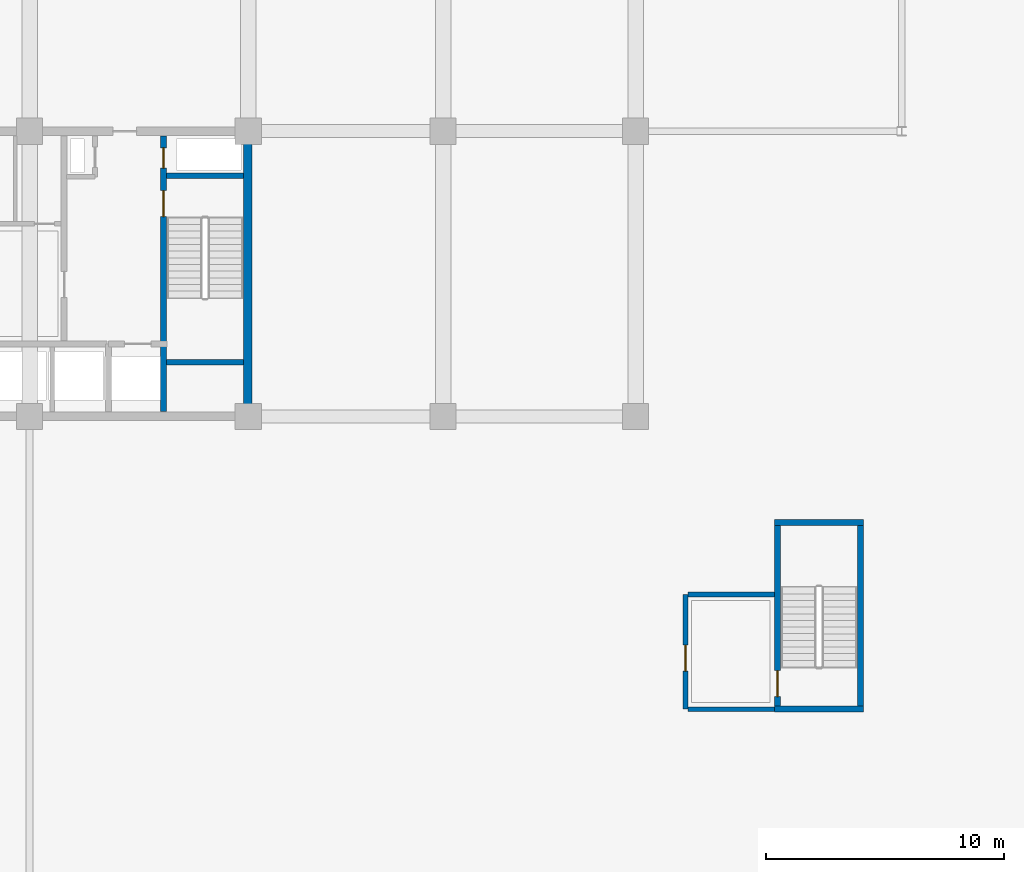
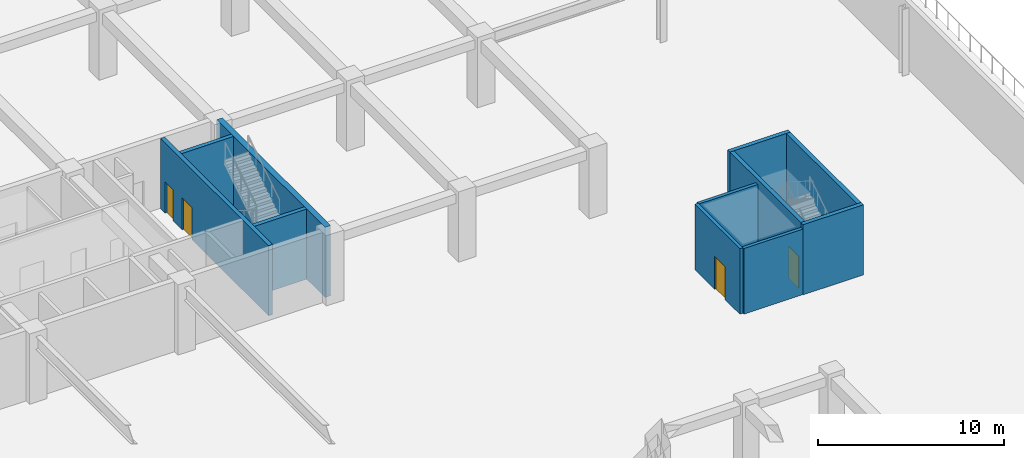
# One storey, part 26 of 45: 11 walls, 4 doors, 4 openings.
"""IFC4 building model written with IfcOpenShell, lengths in metres."""

from ifc_helpers import new_model, si_unit, direction, frame, frame_2d, origin, place, context, subcontext, project, spatial, rectangle, extrude, material, layer, layer_set, type_object, element, fill, save


model = new_model("IFC4")

# Units and contexts
model_context = context("Model", 3, precision=1e-05, world=origin(), true_north=direction((0.0, 1.0)))
body_context = subcontext(model_context, "Body", "Model", "MODEL_VIEW")
ifc_project = project(units=[si_unit("LENGTHUNIT", "METRE"), si_unit("AREAUNIT", "SQUARE_METRE"), si_unit("VOLUMEUNIT", "CUBIC_METRE"), si_unit("PLANEANGLEUNIT", "RADIAN"), si_unit("MASSUNIT", "GRAM", prefix="KILO")], contexts=[model_context])

# Site, building, storey
site_placement = place(None, origin())
site = spatial("IfcSite", under=ifc_project, at=site_placement, CompositionType="ELEMENT")
building_placement = place(site_placement, origin())
building = spatial("IfcBuilding", under=site, at=building_placement, Name="Korimba Cascade Residences", CompositionType="ELEMENT")
storey_placement = place(building_placement, frame((0.0, 0.0, 5.39990234375)))
storey = spatial("IfcBuildingStorey", under=building, at=storey_placement, Name="L01", CompositionType="ELEMENT", Elevation=5.39990234375)

# Wall
ifc_material_1 = material(Name="Concrete C65/80", Category="concrete")
ifc_layer_1 = layer(ifc_material_1, 0.35009765625)
ifc_layer_set_1 = layer_set([ifc_layer_1], Name="Concrete C65/80")
wall_type_1 = type_object("IfcWallType", Name="WAL-CORE-350", PredefinedType="SHEAR", material=ifc_layer_set_1)
wall_1_placement = place(storey_placement, frame((112.074951171875, 55.375, 0.0), z_axis=(0.0, 0.0, 1.0), x_axis=(0.0, 1.0, 0.0)))
element("IfcWall", 1, at=wall_1_placement, inside=storey, type_object=wall_type_1, Name="L01 Core Shear Wall CW-L01-T1-E", PredefinedType="SHEAR", context=body_context, shape_type="SweptSolid", body=[
    extrude(rectangle(XDim=11.64990234375, YDim=0.35009765625, at=frame_2d((5.824951171875, 0.0))), origin(), (0.0, 0.0, 1.0), 4.60009765625),
])

# Wall, opening, door
ifc_material_2 = material(Name="Concrete C40/50", Category="concrete")
ifc_layer_2 = layer(ifc_material_2, 0.199951171875)
ifc_layer_set_2 = layer_set([ifc_layer_2], Name="Concrete C40/50")
wall_type_2 = type_object("IfcWallType", Name="WAL-PART-200", PredefinedType="PARTITIONING", material=ifc_layer_set_2)
wall_2_placement = place(storey_placement, frame((130.5, 42.875, 0.0), z_axis=(0.0, 0.0, 1.0), x_axis=(0.0, 1.0, 0.0)))
wall_2 = element("IfcWall", 2, at=wall_2_placement, inside=storey, type_object=wall_type_2, Name="L01 Partition Wall CW-L01-PLEW", PredefinedType="PARTITIONING", context=body_context, shape_type="SweptSolid", body=[
    extrude(rectangle(XDim=4.824951171875, YDim=0.199951171875, at=frame_2d((2.41259765625, 0.0))), origin(), (0.0, 0.0, 1.0), 4.300048828125),
])
opening_1_placement = place(wall_2_placement, frame((1.60009765625, 0.0, 0.0)))
opening_1 = element("IfcOpeningElement", 3, at=opening_1_placement, cuts=wall_2, Name="Opening D-FD6", PredefinedType="OPENING", context=body_context, shape_type="SweptSolid", body=[
    extrude(rectangle(XDim=1.10009765625, YDim=2.14990234375, at=frame_2d((0.550048828125, 1.074951171875))), frame((0.0, 0.10986328125, 0.0), z_axis=(0.0, -1.0, 0.0), x_axis=(1.0, 0.0, 0.0)), (0.0, 0.0, 1.0), 0.219970703125),
])
ifc_material_3 = material(Name="Fire-Rated Timber Stair Lobby Door", Category="wood")
door_type_1 = type_object("IfcDoorType", Name="DR-FD90-1100", OperationType="NOTDEFINED", PredefinedType="DOOR", material=ifc_material_3)
door_1_placement = place(opening_1_placement, origin())
door_1 = element("IfcDoor", 4, at=door_1_placement, inside=storey, type_object=door_type_1, Name="L01 East Stair Vestibule Door", OperationType="SINGLE_SWING_LEFT", OverallHeight=2.14990234375, OverallWidth=1.10009765625, PredefinedType="DOOR", context=body_context, shape_type="SweptSolid", body=[
    extrude(rectangle(XDim=1.10009765625, YDim=2.14990234375, at=frame_2d((0.550048828125, 1.074951171875))), frame((0.0, 0.02490234375, 0.0), z_axis=(0.0, -1.0, 0.0), x_axis=(1.0, 0.0, 0.0)), (0.0, 0.0, 1.0), 0.050048828125),
])
fill(opening_1, door_1)

# Walls
for number, where, z_axis, x_axis, name in (
    (5, (130.60009765625, 42.875, 0.0), (0.0, 0.0, 1.0), (1.0, 0.0, 0.0), "L01 Partition Wall CW-L01-PLES"),
    (6, (130.60009765625, 47.699951171875, 0.0), (0.0, 0.0, 1.0), (1.0, 0.0, 0.0), "L01 Partition Wall CW-L01-PLEN"),
):
    element("IfcWall", number, at=place(storey_placement, frame(where, z_axis=z_axis, x_axis=x_axis)), inside=storey, type_object=wall_type_2, Name=name, PredefinedType="PARTITIONING", context=body_context, shape_type="SweptSolid", body=[
        extrude(rectangle(XDim=3.64990234375, YDim=0.199951171875, at=frame_2d((1.824951171875, 0.0))), origin(), (0.0, 0.0, 1.0), 4.300048828125),
    ])

# Wall, openings, doors
ifc_material_4 = material(Name="Concrete C50/60", Category="concrete")
ifc_layer_3 = layer(ifc_material_4, 0.25)
ifc_layer_set_3 = layer_set([ifc_layer_3], Name="Concrete C50/60")
wall_type_3 = type_object("IfcWallType", Name="WAL-SHAFT-250", PredefinedType="SHEAR", material=ifc_layer_set_3)
wall_3_placement = place(storey_placement, frame((108.534912109375, 55.39990234375, 0.0), z_axis=(0.0, 0.0, 1.0), x_axis=(0.0, 1.0, 0.0)))
wall_3 = element("IfcWall", 7, at=wall_3_placement, inside=storey, type_object=wall_type_3, Name="L01 Core Shear Wall CW-L01-T1-STW2W", PredefinedType="SHEAR", context=body_context, shape_type="SweptSolid", body=[
    extrude(rectangle(XDim=11.60009765625, YDim=0.25, at=frame_2d((5.800048828125, 0.0))), origin(), (0.0, 0.0, 1.0), 4.60009765625),
])
opening_2_placement = place(wall_3_placement, frame((8.199951171875, 0.0, 0.0)))
opening_2 = element("IfcOpeningElement", 8, at=opening_2_placement, cuts=wall_3, Name="Opening D-FD1", PredefinedType="OPENING", context=body_context, shape_type="SweptSolid", body=[
    extrude(rectangle(XDim=1.10009765625, YDim=2.10009765625, at=frame_2d((0.550048828125, 1.050048828125))), frame((0.0, 0.135009765625, 0.0), z_axis=(0.0, -1.0, 0.0), x_axis=(1.0, 0.0, 0.0)), (0.0, 0.0, 1.0), 0.27001953125),
])
opening_3_placement = place(wall_3_placement, frame((10.25, 0.0, 0.0)))
opening_3 = element("IfcOpeningElement", 9, at=opening_3_placement, cuts=wall_3, Name="Opening D-RS1", PredefinedType="OPENING", context=body_context, shape_type="SweptSolid", body=[
    extrude(rectangle(XDim=0.85009765625, YDim=2.050048828125, at=frame_2d((0.425048828125, 1.02490234375))), frame((0.0, 0.135009765625, 0.0), z_axis=(0.0, -1.0, 0.0), x_axis=(1.0, 0.0, 0.0)), (0.0, 0.0, 1.0), 0.27001953125),
])
ifc_material_5 = material(Name="Fire-Rated Steel Core Door", Category="steel")
door_type_2 = type_object("IfcDoorType", Name="DR-FD120-1100", OperationType="NOTDEFINED", PredefinedType="DOOR", material=ifc_material_5)
door_2_placement = place(opening_2_placement, origin())
door_2 = element("IfcDoor", 10, at=door_2_placement, inside=storey, type_object=door_type_2, Name="L01 Fire Stair ST-W2 Door", OperationType="SINGLE_SWING_RIGHT", OverallHeight=2.10009765625, OverallWidth=1.10009765625, PredefinedType="DOOR", context=body_context, shape_type="SweptSolid", body=[
    extrude(rectangle(XDim=1.10009765625, YDim=2.10009765625, at=frame_2d((0.550048828125, 1.050048828125))), frame((0.0, 0.02490234375, 0.0), z_axis=(0.0, -1.0, 0.0), x_axis=(1.0, 0.0, 0.0)), (0.0, 0.0, 1.0), 0.050048828125),
])
fill(opening_2, door_2)
ifc_material_6 = material(Name="Fire-Rated Steel Riser Access Door", Category="steel")
door_type_3 = type_object("IfcDoorType", Name="DR-FD60-850", OperationType="NOTDEFINED", PredefinedType="DOOR", material=ifc_material_6)
door_3_placement = place(opening_3_placement, origin())
door_3 = element("IfcDoor", 11, at=door_3_placement, inside=storey, type_object=door_type_3, Name="L01 East Riser Door", OperationType="SINGLE_SWING_LEFT", OverallHeight=2.050048828125, OverallWidth=0.85009765625, PredefinedType="DOOR", context=body_context, shape_type="SweptSolid", body=[
    extrude(rectangle(XDim=0.85009765625, YDim=2.050048828125, at=frame_2d((0.425048828125, 1.02490234375))), frame((0.0, 0.02490234375, 0.0), z_axis=(0.0, -1.0, 0.0), x_axis=(1.0, 0.0, 0.0)), (0.0, 0.0, 1.0), 0.050048828125),
])
fill(opening_3, door_3)

# Walls
for number, where, z_axis, x_axis, name in (
    (12, (108.659912109375, 57.47509765625, 0.0), (0.0, 0.0, 1.0), (1.0, 0.0, 0.0), "L01 Core Shear Wall CW-L01-T1-STW2S"),
    (13, (108.659912109375, 65.324951171875, 0.0), (0.0, 0.0, 1.0), (1.0, 0.0, 0.0), "L01 Core Shear Wall CW-L01-T1-STW2N"),
):
    element("IfcWall", number, at=place(storey_placement, frame(where, z_axis=z_axis, x_axis=x_axis)), inside=storey, type_object=wall_type_3, Name=name, PredefinedType="SHEAR", context=body_context, shape_type="SweptSolid", body=[
        extrude(rectangle(XDim=3.239990234375, YDim=0.25, at=frame_2d((1.6201171875, 0.0))), origin(), (0.0, 0.0, 1.0), 4.60009765625),
    ])

# Wall, opening, door
wall_4_placement = place(storey_placement, frame((134.375, 43.0, 0.0), z_axis=(0.0, 0.0, 1.0), x_axis=(0.0, 1.0, 0.0)))
wall_4 = element("IfcWall", 14, at=wall_4_placement, inside=storey, type_object=wall_type_3, Name="L01 Core Shear Wall CW-L01-STP2W", PredefinedType="SHEAR", context=body_context, shape_type="SweptSolid", body=[
    extrude(rectangle(XDim=7.60009765625, YDim=0.25, at=frame_2d((3.800048828125, 0.0))), origin(), (0.0, 0.0, 1.0), 4.60009765625),
])
opening_4_placement = place(wall_4_placement, frame((0.39990234375, 0.0, 0.0)))
opening_4 = element("IfcOpeningElement", 15, at=opening_4_placement, cuts=wall_4, Name="Opening D-FD1", PredefinedType="OPENING", context=body_context, shape_type="SweptSolid", body=[
    extrude(rectangle(XDim=1.10009765625, YDim=2.10009765625, at=frame_2d((0.550048828125, 1.050048828125))), frame((0.0, 0.135009765625, 0.0), z_axis=(0.0, -1.0, 0.0), x_axis=(1.0, 0.0, 0.0)), (0.0, 0.0, 1.0), 0.27001953125),
])
door_4_placement = place(opening_4_placement, origin())
door_4 = element("IfcDoor", 16, at=door_4_placement, inside=storey, type_object=door_type_2, Name="L01 Podium Stair ST-P2 Door", OperationType="SINGLE_SWING_RIGHT", OverallHeight=2.10009765625, OverallWidth=1.10009765625, PredefinedType="DOOR", context=body_context, shape_type="SweptSolid", body=[
    extrude(rectangle(XDim=1.10009765625, YDim=2.10009765625, at=frame_2d((0.550048828125, 1.050048828125))), frame((0.0, 0.02490234375, 0.0), z_axis=(0.0, -1.0, 0.0), x_axis=(1.0, 0.0, 0.0)), (0.0, 0.0, 1.0), 0.050048828125),
])
fill(opening_4, door_4)

# Walls
wall_5_placement = place(storey_placement, frame((137.864990234375, 43.0, 0.0), z_axis=(0.0, 0.0, 1.0), x_axis=(0.0, 1.0, 0.0)))
element("IfcWall", 17, at=wall_5_placement, inside=storey, type_object=wall_type_3, Name="L01 Core Shear Wall CW-L01-STP2E", PredefinedType="SHEAR", context=body_context, shape_type="SweptSolid", body=[
    extrude(rectangle(XDim=7.60009765625, YDim=0.25, at=frame_2d((3.800048828125, 0.0))), origin(), (0.0, 0.0, 1.0), 4.60009765625),
])
for number, where, z_axis, x_axis, name in (
    (18, (134.25, 42.875, 0.0), (0.0, 0.0, 1.0), (1.0, 0.0, 0.0), "L01 Core Shear Wall CW-L01-STP2S"),
    (19, (134.25, 50.72509765625, 0.0), (0.0, 0.0, 1.0), (1.0, 0.0, 0.0), "L01 Core Shear Wall CW-L01-STP2N"),
):
    element("IfcWall", number, at=place(storey_placement, frame(where, z_axis=z_axis, x_axis=x_axis)), inside=storey, type_object=wall_type_3, Name=name, PredefinedType="SHEAR", context=body_context, shape_type="SweptSolid", body=[
        extrude(rectangle(XDim=3.739990234375, YDim=0.25, at=frame_2d((1.8701171875, 0.0))), origin(), (0.0, 0.0, 1.0), 4.60009765625),
    ])

save(model, "model.ifc")
